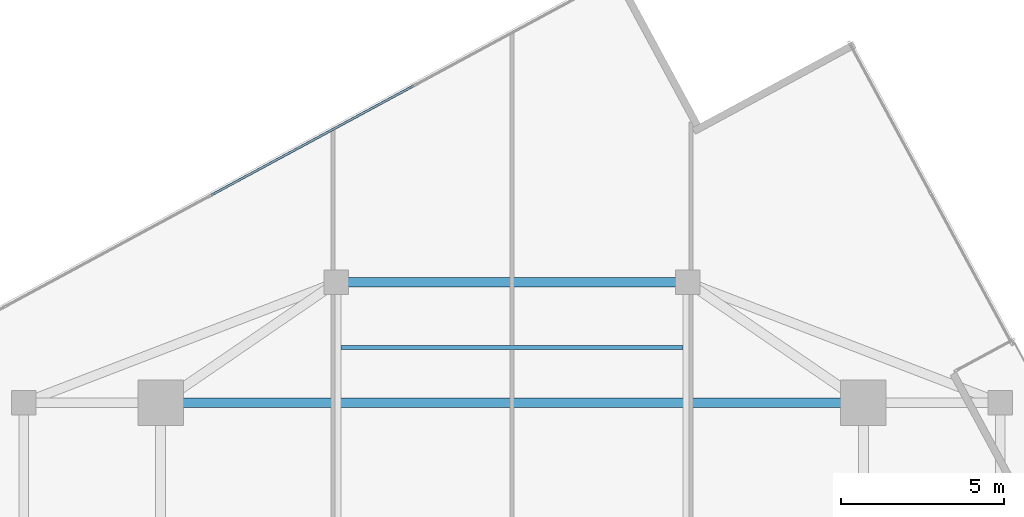
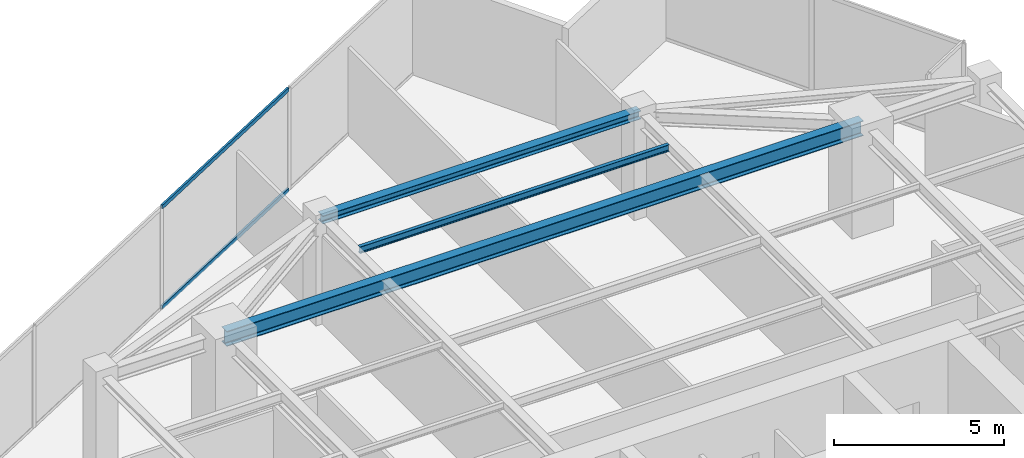
# One storey, part 15 of 22: 3 beams, 2 members, 1 element without a shape of its own.
"""IFC4 building model written with IfcOpenShell, lengths in metres."""

from ifc_helpers import new_model, si_unit, direction, frame, origin, origin_2d, place, context, subcontext, project, spatial, hollow_rectangle, i_section, extrude, source, transform, mapped, material, material_profile, profile_set, type_object, type_shapes, element, aggregate, save


model = new_model("IFC4")

# Units and contexts
model_context = context("Model", 3, precision=1e-05, world=origin(), true_north=direction((0.0, 1.0)))
body_context = subcontext(model_context, "Body", "Model", "MODEL_VIEW")
ifc_project = project(units=[si_unit("LENGTHUNIT", "METRE"), si_unit("AREAUNIT", "SQUARE_METRE"), si_unit("VOLUMEUNIT", "CUBIC_METRE"), si_unit("PLANEANGLEUNIT", "RADIAN"), si_unit("MASSUNIT", "GRAM", prefix="KILO")], contexts=[model_context])

# Site, building, storey
site_placement = place(None, origin())
site = spatial("IfcSite", under=ifc_project, at=site_placement, CompositionType="ELEMENT")
building_placement = place(site_placement, origin())
building = spatial("IfcBuilding", under=site, at=building_placement, Name="Krantzveldt Concourse Tower", CompositionType="ELEMENT")
storey_placement = place(building_placement, frame((0.0, 0.0, 306.89990234375)))
storey = spatial("IfcBuildingStorey", under=building, at=storey_placement, Name="L75", CompositionType="ELEMENT", Elevation=306.89990234375)

# Beams
ifc_material_1 = material(Name="Steel S355JR", Category="steel")
ifc_material_profile_1 = material_profile(ifc_material_1, i_section(OverallWidth=0.300048828125, OverallDepth=0.5400390625, WebThickness=0.012451171875, FlangeThickness=0.02392578125, FilletRadius=0.027099609375, at=origin_2d()), Name="Steel S355JR", Category="steel")
ifc_profile_set_1 = profile_set([ifc_material_profile_1], Name="Steel S355JR - HEA 550")
beam_type_1 = type_object("IfcBeamType", Name="BM-B-HEA550", PredefinedType="BEAM", material=ifc_profile_set_1)
shared_shape_1 = source(origin(), body_context, "Body", "SweptSolid", [
    extrude(i_section(OverallWidth=0.300048828125, OverallDepth=0.5400390625, WebThickness=0.012451171875, FlangeThickness=0.02392578125, FilletRadius=0.027099609375, at=origin_2d()), origin(), (0.0, 0.0, 1.0), 21.60009765625),
])
type_shapes(beam_type_1, [shared_shape_1])
beam_1_placement = place(storey_placement, frame((25.199951171875, 37.5, 3.400146484375), z_axis=(1.0, 0.0, 0.0), x_axis=(0.0, 1.0, 0.0)))
element("IfcBeam", 1, at=beam_1_placement, inside=storey, type_object=beam_type_1, Name="L75 Tower Girder BG-MN", PredefinedType="BEAM", context=body_context, shape_type="MappedRepresentation", body=[
    mapped(shared_shape_1, transform((0.0, 0.0, 0.0), x_axis=(1.0, 0.0, 0.0), y_axis=(0.0, 1.0, 0.0), z_axis=(0.0, 0.0, 1.0), scale=1.0)),
])
ifc_material_profile_2 = material_profile(ifc_material_1, i_section(OverallWidth=0.2900390625, OverallDepth=0.2900390625, WebThickness=0.008544921875, FlangeThickness=0.013916015625, FilletRadius=0.027099609375, at=origin_2d()), Name="Steel S355JR", Category="steel")
ifc_profile_set_2 = profile_set([ifc_material_profile_2], Name="Steel S355JR - HEA 300")
beam_type_2 = type_object("IfcBeamType", Name="BM-SP-HEA300", PredefinedType="SPANDREL", material=ifc_profile_set_2)
shared_shape_2 = source(origin(), body_context, "Body", "SweptSolid", [
    extrude(i_section(OverallWidth=0.2900390625, OverallDepth=0.2900390625, WebThickness=0.008544921875, FlangeThickness=0.013916015625, FilletRadius=0.027099609375, at=origin_2d()), origin(), (0.0, 0.0, 1.0), 10.7998046875),
])
type_shapes(beam_type_2, [shared_shape_2])
beam_2_placement = place(storey_placement, frame((30.60009765625, 41.199951171875, 3.525146484375), z_axis=(1.0, 0.0, 0.0), x_axis=(0.0, 1.0, 0.0)))
element("IfcBeam", 2, at=beam_2_placement, inside=storey, type_object=beam_type_2, Name="L75 Tower Girder SP-R04", PredefinedType="SPANDREL", context=body_context, shape_type="MappedRepresentation", body=[
    mapped(shared_shape_2, transform((0.0, 0.0, 0.0), x_axis=(1.0, 0.0, 0.0), y_axis=(0.0, 1.0, 0.0), z_axis=(0.0, 0.0, 1.0), scale=1.0)),
])
ifc_material_profile_3 = material_profile(ifc_material_1, i_section(OverallWidth=0.1201171875, OverallDepth=0.239990234375, WebThickness=0.006103515625, FlangeThickness=0.009765625, FilletRadius=0.014892578125, at=origin_2d()), Name="Steel S355JR", Category="steel")
ifc_profile_set_3 = profile_set([ifc_material_profile_3], Name="Steel S355JR - IPE 240")
beam_type_3 = type_object("IfcBeamType", Name="BM-LN-IPE240", PredefinedType="LINTEL", material=ifc_profile_set_3)
shared_shape_3 = source(origin(), body_context, "Body", "SweptSolid", [
    extrude(i_section(OverallWidth=0.1201171875, OverallDepth=0.239990234375, WebThickness=0.006103515625, FlangeThickness=0.009765625, FilletRadius=0.014892578125, at=origin_2d()), origin(), (0.0, 0.0, 1.0), 10.5),
])
type_shapes(beam_type_3, [shared_shape_3])
beam_3_placement = place(storey_placement, frame((30.75, 39.199951171875, 3.550048828125), z_axis=(1.0, 0.0, 0.0), x_axis=(0.0, 1.0, 0.0)))
element("IfcBeam", 3, at=beam_3_placement, inside=storey, type_object=beam_type_3, Name="L75 Secondary Floor Joist JN-C3", PredefinedType="LINTEL", context=body_context, shape_type="MappedRepresentation", body=[
    mapped(shared_shape_3, transform((0.0, 0.0, 0.0), x_axis=(1.0, 0.0, 0.0), y_axis=(0.0, 1.0, 0.0), z_axis=(0.0, 0.0, 1.0), scale=1.0)),
])

# Curtain wall, members
ifc_material_2 = material(Name="Anodised aluminium 6063-T6", Category="aluminium")
curtain_wall_type = type_object("IfcCurtainWallType", Name="CW4", PredefinedType="USERDEFINED", material=ifc_material_2)
curtain_wall_placement = place(storey_placement, origin())
curtain_wall = element("IfcCurtainWall", 4, at=curtain_wall_placement, inside=storey, type_object=curtain_wall_type, Name="CW-L75-F01", ObjectType="UNITISED CURTAIN WALL", PredefinedType="USERDEFINED")
ifc_material_profile_4 = material_profile(ifc_material_2, hollow_rectangle(XDim=0.070068359375, YDim=0.139892578125, WallThickness=0.0048828125, at=origin_2d()), Name="Anodised aluminium 6063-T6", Category="aluminium")
ifc_profile_set_4 = profile_set([ifc_material_profile_4], Name="Anodised aluminium 6063-T6 - ALU-TRAN 140x70x5")
member_type = type_object("IfcMemberType", Name="CW-TRN-150", PredefinedType="USERDEFINED", material=ifc_profile_set_4)
shared_shape_4 = source(origin(), body_context, "Body", "SweptSolid", [
    extrude(hollow_rectangle(XDim=0.070068359375, YDim=0.139892578125, WallThickness=0.0048828125, at=origin_2d()), origin(), (0.0, 0.0, 1.0), 7.080078125),
])
type_shapes(member_type, [shared_shape_4])
member_1_placement = place(storey_placement, frame((32.98828125, 47.247314453125, 0.03515625), z_axis=(-0.879856953046, -0.47523861604, 0.0), x_axis=(0.47523861604, -0.879856953046, 0.0)))
member_1 = element("IfcMember", 5, at=member_1_placement, type_object=member_type, Name="CW-Z56 transom 2.1", ObjectType="TRANSOM", PredefinedType="USERDEFINED", context=body_context, shape_type="MappedRepresentation", body=[
    mapped(shared_shape_4, transform((0.0, 0.0, 0.0), x_axis=(1.0, 0.0, 0.0), y_axis=(0.0, 1.0, 0.0), z_axis=(0.0, 0.0, 1.0), scale=1.0)),
])
member_2_placement = place(storey_placement, frame((32.98828125, 47.247314453125, 3.635009765625), z_axis=(-0.879856953046, -0.47523861604, 0.0), x_axis=(0.47523861604, -0.879856953046, 0.0)))
member_2 = element("IfcMember", 6, at=member_2_placement, type_object=member_type, Name="CW-Z56 transom 2.2", ObjectType="TRANSOM", PredefinedType="USERDEFINED", context=body_context, shape_type="MappedRepresentation", body=[
    mapped(shared_shape_4, transform((0.0, 0.0, 0.0), x_axis=(1.0, 0.0, 0.0), y_axis=(0.0, 1.0, 0.0), z_axis=(0.0, 0.0, 1.0), scale=1.0)),
])
aggregate(curtain_wall, [member_1, member_2])

save(model, "model.ifc")
